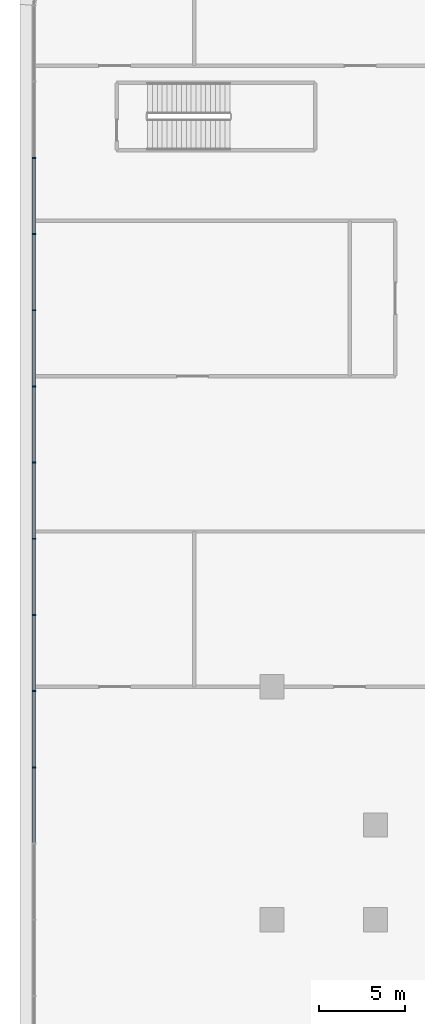
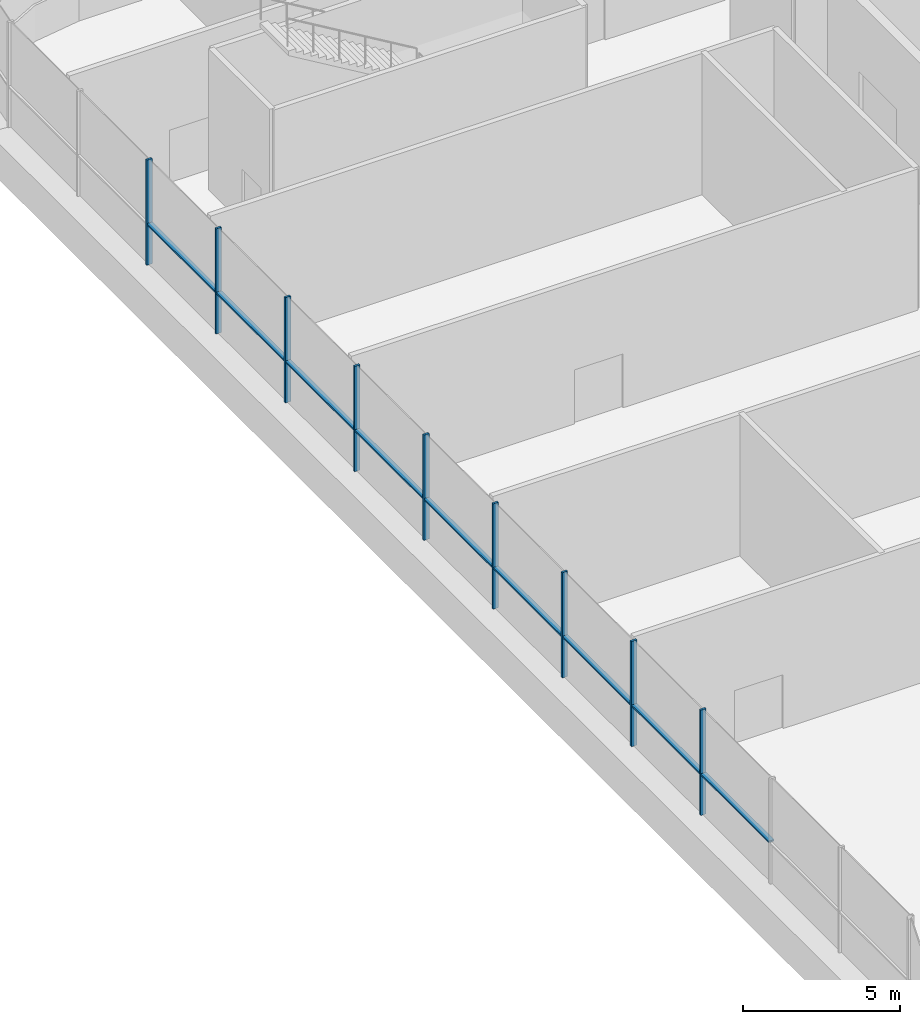
# One storey, part 12 of 52: 18 members, 1 element without a shape of its own.
"""IFC4 building model written with IfcOpenShell, lengths in metres."""

from ifc_helpers import new_model, si_unit, direction, frame, origin, origin_2d, place, context, subcontext, project, spatial, polyline, rectangle, outline, extrude, material, layer, layer_set, material_profile, profile_set, type_object, element, aggregate, save


model = new_model("IFC4")

# Units and contexts
model_context = context("Model", 3, precision=1e-05, world=origin(), true_north=direction((0.0, 1.0)))
body_context = subcontext(model_context, "Body", "Model", "MODEL_VIEW")
ifc_project = project(units=[si_unit("LENGTHUNIT", "METRE"), si_unit("AREAUNIT", "SQUARE_METRE"), si_unit("VOLUMEUNIT", "CUBIC_METRE"), si_unit("PLANEANGLEUNIT", "RADIAN"), si_unit("MASSUNIT", "GRAM", prefix="KILO")], contexts=[model_context])

# Site, building, storey
site_placement = place(None, origin())
site = spatial("IfcSite", under=ifc_project, at=site_placement, CompositionType="ELEMENT")
building_placement = place(site_placement, origin())
building = spatial("IfcBuilding", under=site, at=building_placement, Name="Tamarind Cross Interchange Tower", CompositionType="ELEMENT")
storey_placement = place(building_placement, frame((0.0, 0.0, 9.0)))
storey = spatial("IfcBuildingStorey", under=building, at=storey_placement, Name="L01", CompositionType="ELEMENT", Elevation=9.0)

# Curtain wall, members
ifc_material = material(Name="Aluminium 6063-T6", Category="aluminium")
ifc_layer = layer(ifc_material, 0.199951171875)
ifc_layer_set = layer_set([ifc_layer], Name="Aluminium 6063-T6")
curtain_wall_type = type_object("IfcCurtainWallType", Name="Podium shopfront and station curtain wall", PredefinedType="NOTDEFINED", material=ifc_layer_set)
curtain_wall_placement = place(storey_placement, origin())
curtain_wall = element("IfcCurtainWall", 1, at=curtain_wall_placement, inside=storey, type_object=curtain_wall_type, Name="CWS-L01-04", PredefinedType="NOTDEFINED")
ifc_material_profile = material_profile(ifc_material, rectangle(XDim=0.080078125, YDim=0.199951171875, at=origin_2d()), Name="Mullion CW3")
ifc_profile_set = profile_set([ifc_material_profile], Name="Aluminium 6063-T6")
member_type_1 = type_object("IfcMemberType", Name="Mullion CW3", PredefinedType="MULLION", material=ifc_profile_set)
member_1_placement = place(storey_placement, frame((-67.800048828125, 44.153564453125, 1.39990234375), z_axis=(0.0, 0.0, 1.0), x_axis=(0.0, -1.0, 0.0)))
member_1 = element("IfcMember", 2, at=member_1_placement, type_object=member_type_1, Name="CWM-L01-04-02", PredefinedType="MULLION", context=body_context, shape_type="SweptSolid", body=[
    extrude(rectangle(XDim=0.080078125, YDim=0.199951171875, at=origin_2d()), origin(), (0.0, 0.0, 1.0), 4.10009765625),
])
member_2_placement = place(storey_placement, frame((-67.800048828125, 39.73828125, 1.39990234375), z_axis=(0.0, 0.0, 1.0), x_axis=(0.0, -1.0, 0.0)))
member_2 = element("IfcMember", 3, at=member_2_placement, type_object=member_type_1, Name="CWM-L01-04-03", PredefinedType="MULLION", context=body_context, shape_type="SweptSolid", body=[
    extrude(rectangle(XDim=0.080078125, YDim=0.199951171875, at=origin_2d()), origin(), (0.0, 0.0, 1.0), 4.10009765625),
])
member_3_placement = place(storey_placement, frame((-67.800048828125, 35.32275390625, 1.39990234375), z_axis=(0.0, 0.0, 1.0), x_axis=(0.0, -1.0, 0.0)))
member_3 = element("IfcMember", 4, at=member_3_placement, type_object=member_type_1, Name="CWM-L01-04-04", PredefinedType="MULLION", context=body_context, shape_type="SweptSolid", body=[
    extrude(rectangle(XDim=0.080078125, YDim=0.199951171875, at=origin_2d()), origin(), (0.0, 0.0, 1.0), 4.10009765625),
])
member_4_placement = place(storey_placement, frame((-67.800048828125, 30.907470703125, 1.39990234375), z_axis=(0.0, 0.0, 1.0), x_axis=(0.0, -1.0, 0.0)))
member_4 = element("IfcMember", 5, at=member_4_placement, type_object=member_type_1, Name="CWM-L01-04-05", PredefinedType="MULLION", context=body_context, shape_type="SweptSolid", body=[
    extrude(rectangle(XDim=0.080078125, YDim=0.199951171875, at=origin_2d()), origin(), (0.0, 0.0, 1.0), 4.10009765625),
])
member_5_placement = place(storey_placement, frame((-67.800048828125, 26.4921875, 1.39990234375), z_axis=(0.0, 0.0, 1.0), x_axis=(0.0, -1.0, 0.0)))
member_5 = element("IfcMember", 6, at=member_5_placement, type_object=member_type_1, Name="CWM-L01-04-06", PredefinedType="MULLION", context=body_context, shape_type="SweptSolid", body=[
    extrude(rectangle(XDim=0.080078125, YDim=0.199951171875, at=origin_2d()), origin(), (0.0, 0.0, 1.0), 4.10009765625),
])
member_6_placement = place(storey_placement, frame((-67.800048828125, 22.07666015625, 1.39990234375), z_axis=(0.0, 0.0, 1.0), x_axis=(0.0, -1.0, 0.0)))
member_6 = element("IfcMember", 7, at=member_6_placement, type_object=member_type_1, Name="CWM-L01-04-07", PredefinedType="MULLION", context=body_context, shape_type="SweptSolid", body=[
    extrude(rectangle(XDim=0.080078125, YDim=0.199951171875, at=origin_2d()), origin(), (0.0, 0.0, 1.0), 4.10009765625),
])
member_7_placement = place(storey_placement, frame((-67.800048828125, 17.661376953125, 1.39990234375), z_axis=(0.0, 0.0, 1.0), x_axis=(0.0, -1.0, 0.0)))
member_7 = element("IfcMember", 8, at=member_7_placement, type_object=member_type_1, Name="CWM-L01-04-08", PredefinedType="MULLION", context=body_context, shape_type="SweptSolid", body=[
    extrude(rectangle(XDim=0.080078125, YDim=0.199951171875, at=origin_2d()), origin(), (0.0, 0.0, 1.0), 4.10009765625),
])
member_8_placement = place(storey_placement, frame((-67.800048828125, 13.24609375, 1.39990234375), z_axis=(0.0, 0.0, 1.0), x_axis=(0.0, -1.0, 0.0)))
member_8 = element("IfcMember", 9, at=member_8_placement, type_object=member_type_1, Name="CWM-L01-04-09", PredefinedType="MULLION", context=body_context, shape_type="SweptSolid", body=[
    extrude(rectangle(XDim=0.080078125, YDim=0.199951171875, at=origin_2d()), origin(), (0.0, 0.0, 1.0), 4.10009765625),
])
member_9_placement = place(storey_placement, frame((-67.800048828125, 8.830810546875, 1.39990234375), z_axis=(0.0, 0.0, 1.0), x_axis=(0.0, -1.0, 0.0)))
member_9 = element("IfcMember", 10, at=member_9_placement, type_object=member_type_1, Name="CWM-L01-04-10", PredefinedType="MULLION", context=body_context, shape_type="SweptSolid", body=[
    extrude(rectangle(XDim=0.080078125, YDim=0.199951171875, at=origin_2d()), origin(), (0.0, 0.0, 1.0), 4.10009765625),
])
member_type_2 = type_object("IfcMemberType", Name="Podium intermediate transom", PredefinedType="USERDEFINED", material=ifc_material)
member_10_placement = place(storey_placement, frame((0.0, 0.0, 2.969970703125)))
member_10 = element("IfcMember", 11, at=member_10_placement, type_object=member_type_2, Name="CWT-L01-04-I0-02", ObjectType="TRANSOM", PredefinedType="USERDEFINED", context=body_context, shape_type="SweptSolid", body=[
    extrude(outline(polyline([(-67.699951171875, 44.113525390625), (-67.699951171875, 39.778076171875), (-67.89990234375, 39.778076171875), (-67.89990234375, 44.113525390625), (-67.699951171875, 44.113525390625)])), origin(), (0.0, 0.0, 1.0), 0.06005859375),
])
member_11_placement = place(storey_placement, frame((0.0, 0.0, 2.969970703125)))
member_11 = element("IfcMember", 12, at=member_11_placement, type_object=member_type_2, Name="CWT-L01-04-I0-03", ObjectType="TRANSOM", PredefinedType="USERDEFINED", context=body_context, shape_type="SweptSolid", body=[
    extrude(outline(polyline([(-67.699951171875, 39.6982421875), (-67.699951171875, 35.36279296875), (-67.89990234375, 35.36279296875), (-67.89990234375, 39.6982421875), (-67.699951171875, 39.6982421875)])), origin(), (0.0, 0.0, 1.0), 0.06005859375),
])
member_12_placement = place(storey_placement, frame((0.0, 0.0, 2.969970703125)))
member_12 = element("IfcMember", 13, at=member_12_placement, type_object=member_type_2, Name="CWT-L01-04-I0-04", ObjectType="TRANSOM", PredefinedType="USERDEFINED", context=body_context, shape_type="SweptSolid", body=[
    extrude(outline(polyline([(-67.699951171875, 35.282958984375), (-67.699951171875, 30.947509765625), (-67.89990234375, 30.947509765625), (-67.89990234375, 35.282958984375), (-67.699951171875, 35.282958984375)])), origin(), (0.0, 0.0, 1.0), 0.06005859375),
])
member_13_placement = place(storey_placement, frame((0.0, 0.0, 2.969970703125)))
member_13 = element("IfcMember", 14, at=member_13_placement, type_object=member_type_2, Name="CWT-L01-04-I0-05", ObjectType="TRANSOM", PredefinedType="USERDEFINED", context=body_context, shape_type="SweptSolid", body=[
    extrude(outline(polyline([(-67.699951171875, 30.867431640625), (-67.699951171875, 26.5322265625), (-67.89990234375, 26.5322265625), (-67.89990234375, 30.867431640625), (-67.699951171875, 30.867431640625)])), origin(), (0.0, 0.0, 1.0), 0.06005859375),
])
member_14_placement = place(storey_placement, frame((0.0, 0.0, 2.969970703125)))
member_14 = element("IfcMember", 15, at=member_14_placement, type_object=member_type_2, Name="CWT-L01-04-I0-06", ObjectType="TRANSOM", PredefinedType="USERDEFINED", context=body_context, shape_type="SweptSolid", body=[
    extrude(outline(polyline([(-67.699951171875, 26.4521484375), (-67.699951171875, 22.11669921875), (-67.89990234375, 22.11669921875), (-67.89990234375, 26.4521484375), (-67.699951171875, 26.4521484375)])), origin(), (0.0, 0.0, 1.0), 0.06005859375),
])
member_15_placement = place(storey_placement, frame((0.0, 0.0, 2.969970703125)))
member_15 = element("IfcMember", 16, at=member_15_placement, type_object=member_type_2, Name="CWT-L01-04-I0-07", ObjectType="TRANSOM", PredefinedType="USERDEFINED", context=body_context, shape_type="SweptSolid", body=[
    extrude(outline(polyline([(-67.699951171875, 22.036865234375), (-67.699951171875, 17.701416015625), (-67.89990234375, 17.701416015625), (-67.89990234375, 22.036865234375), (-67.699951171875, 22.036865234375)])), origin(), (0.0, 0.0, 1.0), 0.06005859375),
])
member_16_placement = place(storey_placement, frame((0.0, 0.0, 2.969970703125)))
member_16 = element("IfcMember", 17, at=member_16_placement, type_object=member_type_2, Name="CWT-L01-04-I0-08", ObjectType="TRANSOM", PredefinedType="USERDEFINED", context=body_context, shape_type="SweptSolid", body=[
    extrude(outline(polyline([(-67.699951171875, 17.621337890625), (-67.699951171875, 13.2861328125), (-67.89990234375, 13.2861328125), (-67.89990234375, 17.621337890625), (-67.699951171875, 17.621337890625)])), origin(), (0.0, 0.0, 1.0), 0.06005859375),
])
member_17_placement = place(storey_placement, frame((0.0, 0.0, 2.969970703125)))
member_17 = element("IfcMember", 18, at=member_17_placement, type_object=member_type_2, Name="CWT-L01-04-I0-09", ObjectType="TRANSOM", PredefinedType="USERDEFINED", context=body_context, shape_type="SweptSolid", body=[
    extrude(outline(polyline([(-67.699951171875, 13.2060546875), (-67.699951171875, 8.87060546875), (-67.89990234375, 8.87060546875), (-67.89990234375, 13.2060546875), (-67.699951171875, 13.2060546875)])), origin(), (0.0, 0.0, 1.0), 0.06005859375),
])
member_18_placement = place(storey_placement, frame((0.0, 0.0, 2.969970703125)))
member_18 = element("IfcMember", 19, at=member_18_placement, type_object=member_type_2, Name="CWT-L01-04-I0-10", ObjectType="TRANSOM", PredefinedType="USERDEFINED", context=body_context, shape_type="SweptSolid", body=[
    extrude(outline(polyline([(-67.699951171875, 8.790771484375), (-67.699951171875, 4.455322265625), (-67.89990234375, 4.455322265625), (-67.89990234375, 8.790771484375), (-67.699951171875, 8.790771484375)])), origin(), (0.0, 0.0, 1.0), 0.06005859375),
])
aggregate(curtain_wall, [member_1, member_2, member_3, member_4, member_5, member_6, member_7, member_8, member_9, member_10, member_11, member_12, member_13, member_14, member_15, member_16, member_17, member_18])

save(model, "model.ifc")
